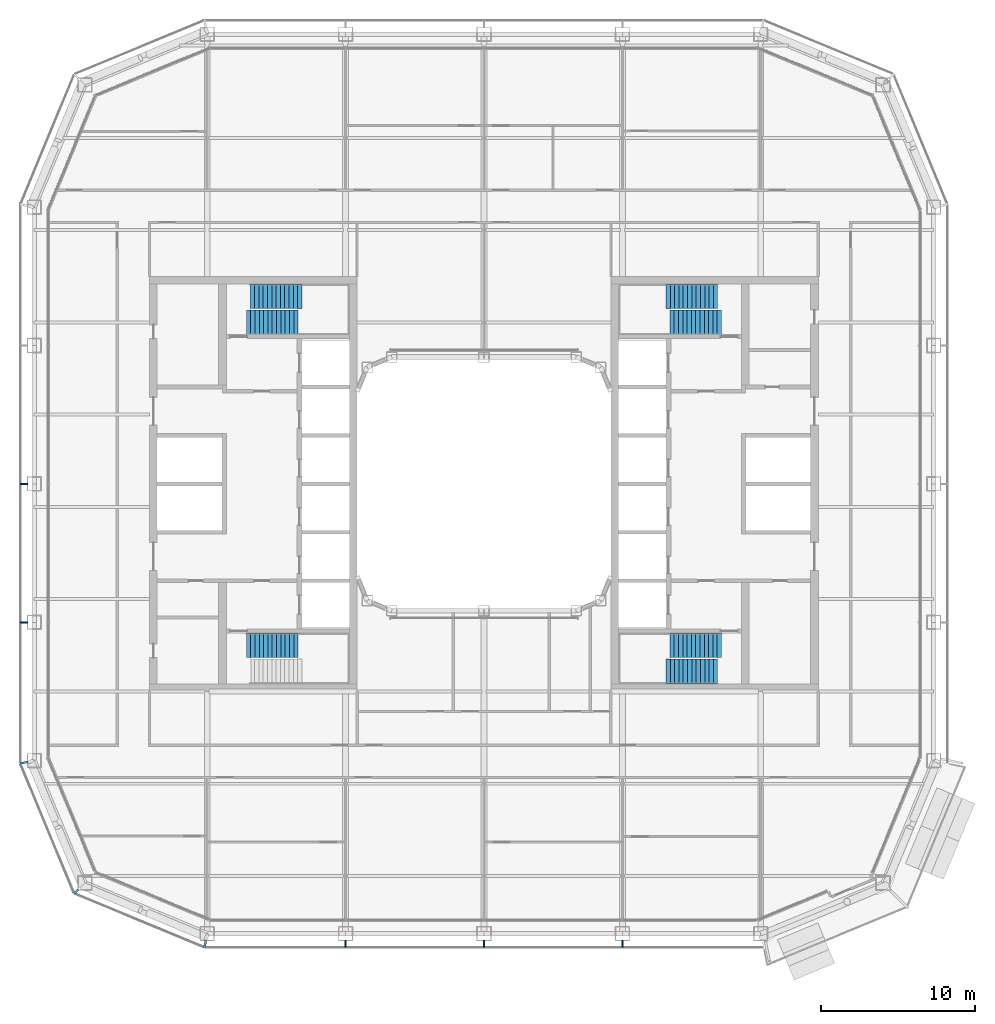
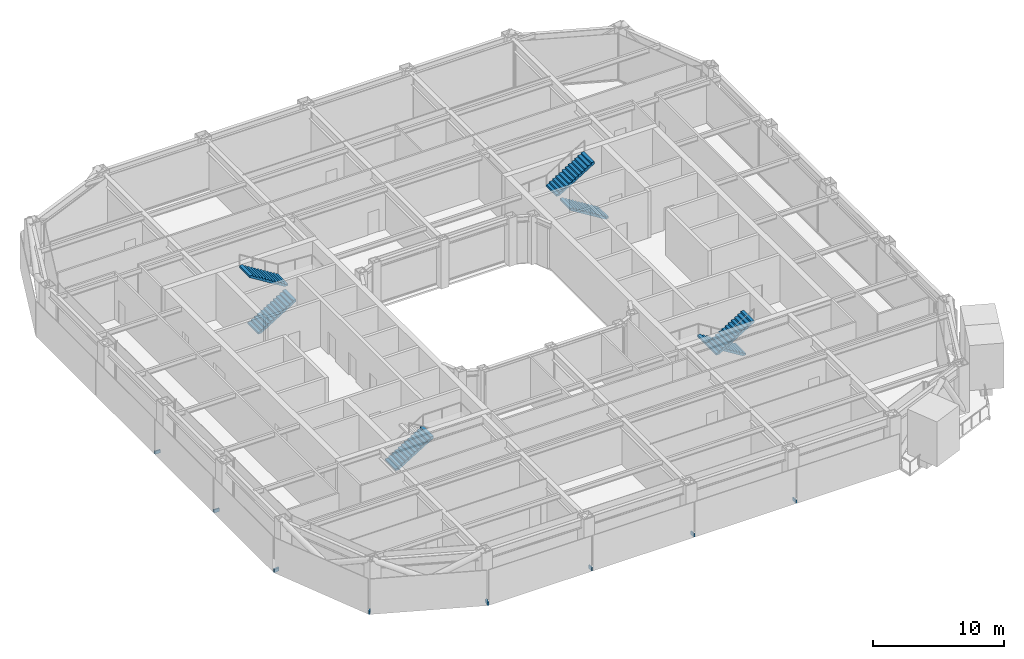
# One storey, part 15 of 23: 8 discrete accessories, 7 stair flights, 4 elements without a shape of their own.
"""IFC4 building model written with IfcOpenShell, lengths in metres."""

from ifc_helpers import new_model, si_unit, direction, frame, origin, origin_2d, place, context, subcontext, project, spatial, polyline, rectangle, outline, extrude, material, type_object, element, aggregate, save


model = new_model("IFC4")

# Units and contexts
model_context = context("Model", 3, precision=1e-05, world=origin(), true_north=direction((0.0, 1.0)))
body_context = subcontext(model_context, "Body", "Model", "MODEL_VIEW")
ifc_project = project(units=[si_unit("LENGTHUNIT", "METRE"), si_unit("AREAUNIT", "SQUARE_METRE"), si_unit("VOLUMEUNIT", "CUBIC_METRE"), si_unit("PLANEANGLEUNIT", "RADIAN"), si_unit("MASSUNIT", "GRAM", prefix="KILO")], contexts=[model_context])

# Site, building, storey
site_placement = place(None, origin())
site = spatial("IfcSite", under=ifc_project, at=site_placement, CompositionType="ELEMENT")
building_placement = place(site_placement, origin())
building = spatial("IfcBuilding", under=site, at=building_placement, Name="Siwar Civic Tower", CompositionType="ELEMENT")
storey_placement = place(building_placement, frame((0.0, 0.0, 109.199951171875)))
storey = spatial("IfcBuildingStorey", under=building, at=storey_placement, Name="L23", CompositionType="ELEMENT", Elevation=109.199951171875)

# Stair, stair flights
ifc_material_1 = material(Name="Concrete C40/50", Category="concrete")
stair_type = type_object("IfcStairType", Name="CORE-STAIR", PredefinedType="TWO_STRAIGHT_RUN_STAIR", material=ifc_material_1)
stair_1_placement = place(storey_placement, origin())
stair_1 = element("IfcStair", 1, at=stair_1_placement, inside=storey, type_object=stair_type, Name="Exit stair ST1", PredefinedType="TWO_STRAIGHT_RUN_STAIR")
ifc_material_2 = material(Name="Concrete C40/50", Category="concrete")
stair_flight_type = type_object("IfcStairFlightType", Name="CORE-STAIR-FLIGHT", PredefinedType="STRAIGHT", material=ifc_material_2)
stair_flight_1_placement = place(storey_placement, frame((-15.449951171875, 10.5, 0.0), z_axis=(0.0, 0.0, 1.0), x_axis=(1.0, 0.0, 0.0)))
stair_flight_1 = element("IfcStairFlight", 2, at=stair_flight_1_placement, type_object=stair_flight_type, Name="ST1 flight 1", NumberOfRisers=13, NumberOfTreads=12, PredefinedType="STRAIGHT", RiserHeight=0.173076923, TreadLength=0.28, context=body_context, shape_type="SweptSolid", body=[
    extrude(outline(polyline([(0.0, 0.0), (0.0, 0.173095703125), (0.280029296875, 0.173095703125), (0.280029296875, 0.34619140625), (0.56005859375, 0.34619140625), (0.56005859375, 0.519287109375), (0.840087890625, 0.519287109375), (0.840087890625, 0.6923828125), (1.1201171875, 0.6923828125), (1.1201171875, 0.865478515625), (1.39990234375, 0.865478515625), (1.39990234375, 1.03857421875), (1.679931640625, 1.03857421875), (1.679931640625, 1.21142578125), (1.9599609375, 1.21142578125), (1.9599609375, 1.384521484375), (2.239990234375, 1.384521484375), (2.239990234375, 1.5576171875), (2.52001953125, 1.5576171875), (2.52001953125, 1.730712890625), (2.800048828125, 1.730712890625), (2.800048828125, 1.90380859375), (3.080078125, 1.90380859375), (3.080078125, 2.076904296875), (3.360107421875, 2.076904296875), (3.360107421875, 2.25), (3.360107421875, 1.900634765625), (0.28515625, 0.0), (0.0, 0.0)])), frame((0.0, 0.800048828125, 0.0), z_axis=(0.0, -1.0, 0.0), x_axis=(1.0, 0.0, 0.0)), (0.0, 0.0, 1.0), 1.60009765625),
])
stair_flight_2_placement = place(storey_placement, frame((-11.840087890625, 12.199951171875, 2.25), z_axis=(0.0, 0.0, 1.0), x_axis=(-1.0, 0.0, 0.0)))
stair_flight_2 = element("IfcStairFlight", 3, at=stair_flight_2_placement, type_object=stair_flight_type, Name="ST1 flight 2", NumberOfRisers=13, NumberOfTreads=12, PredefinedType="STRAIGHT", RiserHeight=0.173076923, TreadLength=0.28, context=body_context, shape_type="SweptSolid", body=[
    extrude(outline(polyline([(0.0, 0.0), (0.0, 0.173095703125), (0.280029296875, 0.173095703125), (0.280029296875, 0.34619140625), (0.56005859375, 0.34619140625), (0.56005859375, 0.519287109375), (0.840087890625, 0.519287109375), (0.840087890625, 0.6923828125), (1.1201171875, 0.6923828125), (1.1201171875, 0.865478515625), (1.39990234375, 0.865478515625), (1.39990234375, 1.03857421875), (1.679931640625, 1.03857421875), (1.679931640625, 1.21142578125), (1.9599609375, 1.21142578125), (1.9599609375, 1.384521484375), (2.239990234375, 1.384521484375), (2.239990234375, 1.5576171875), (2.52001953125, 1.5576171875), (2.52001953125, 1.730712890625), (2.800048828125, 1.730712890625), (2.800048828125, 1.90380859375), (3.080078125, 1.90380859375), (3.080078125, 2.076904296875), (3.360107421875, 2.076904296875), (3.360107421875, 2.25), (3.360107421875, 1.900634765625), (0.28515625, 0.0), (0.0, 0.0)])), frame((0.0, 0.800048828125, 0.0), z_axis=(0.0, -1.0, 0.0), x_axis=(1.0, 0.0, 0.0)), (0.0, 0.0, 1.0), 1.60009765625),
])
aggregate(stair_1, [stair_flight_1, stair_flight_2])

# Stair, stair flight
stair_2_placement = place(storey_placement, origin())
stair_2 = element("IfcStair", 4, at=stair_2_placement, inside=storey, type_object=stair_type, Name="Exit stair ST2", PredefinedType="TWO_STRAIGHT_RUN_STAIR")
stair_flight_3_placement = place(storey_placement, frame((-15.449951171875, -10.5, 0.0), z_axis=(0.0, 0.0, 1.0), x_axis=(1.0, 0.0, 0.0)))
stair_flight_3 = element("IfcStairFlight", 5, at=stair_flight_3_placement, type_object=stair_flight_type, Name="ST2 flight 1", NumberOfRisers=13, NumberOfTreads=12, PredefinedType="STRAIGHT", RiserHeight=0.173076923, TreadLength=0.28, context=body_context, shape_type="SweptSolid", body=[
    extrude(outline(polyline([(0.0, 0.0), (0.0, 0.173095703125), (0.280029296875, 0.173095703125), (0.280029296875, 0.34619140625), (0.56005859375, 0.34619140625), (0.56005859375, 0.519287109375), (0.840087890625, 0.519287109375), (0.840087890625, 0.6923828125), (1.1201171875, 0.6923828125), (1.1201171875, 0.865478515625), (1.39990234375, 0.865478515625), (1.39990234375, 1.03857421875), (1.679931640625, 1.03857421875), (1.679931640625, 1.21142578125), (1.9599609375, 1.21142578125), (1.9599609375, 1.384521484375), (2.239990234375, 1.384521484375), (2.239990234375, 1.5576171875), (2.52001953125, 1.5576171875), (2.52001953125, 1.730712890625), (2.800048828125, 1.730712890625), (2.800048828125, 1.90380859375), (3.080078125, 1.90380859375), (3.080078125, 2.076904296875), (3.360107421875, 2.076904296875), (3.360107421875, 2.25), (3.360107421875, 1.900634765625), (0.28515625, 0.0), (0.0, 0.0)])), frame((0.0, 0.800048828125, 0.0), z_axis=(0.0, -1.0, 0.0), x_axis=(1.0, 0.0, 0.0)), (0.0, 0.0, 1.0), 1.60009765625),
])
aggregate(stair_2, [stair_flight_3])

# Stair, stair flights
stair_3_placement = place(storey_placement, origin())
stair_3 = element("IfcStair", 6, at=stair_3_placement, inside=storey, type_object=stair_type, Name="Exit stair ST3", PredefinedType="TWO_STRAIGHT_RUN_STAIR")
stair_flight_4_placement = place(storey_placement, frame((15.449951171875, 10.5, 0.0), z_axis=(0.0, 0.0, 1.0), x_axis=(-1.0, 0.0, 0.0)))
stair_flight_4 = element("IfcStairFlight", 7, at=stair_flight_4_placement, type_object=stair_flight_type, Name="ST3 flight 1", NumberOfRisers=13, NumberOfTreads=12, PredefinedType="STRAIGHT", RiserHeight=0.173076923, TreadLength=0.28, context=body_context, shape_type="SweptSolid", body=[
    extrude(outline(polyline([(0.0, 0.0), (0.0, 0.173095703125), (0.280029296875, 0.173095703125), (0.280029296875, 0.34619140625), (0.56005859375, 0.34619140625), (0.56005859375, 0.519287109375), (0.840087890625, 0.519287109375), (0.840087890625, 0.6923828125), (1.1201171875, 0.6923828125), (1.1201171875, 0.865478515625), (1.39990234375, 0.865478515625), (1.39990234375, 1.03857421875), (1.679931640625, 1.03857421875), (1.679931640625, 1.21142578125), (1.9599609375, 1.21142578125), (1.9599609375, 1.384521484375), (2.239990234375, 1.384521484375), (2.239990234375, 1.5576171875), (2.52001953125, 1.5576171875), (2.52001953125, 1.730712890625), (2.800048828125, 1.730712890625), (2.800048828125, 1.90380859375), (3.080078125, 1.90380859375), (3.080078125, 2.076904296875), (3.360107421875, 2.076904296875), (3.360107421875, 2.25), (3.360107421875, 1.900634765625), (0.28515625, 0.0), (0.0, 0.0)])), frame((0.0, 0.800048828125, 0.0), z_axis=(0.0, -1.0, 0.0), x_axis=(1.0, 0.0, 0.0)), (0.0, 0.0, 1.0), 1.60009765625),
])
stair_flight_5_placement = place(storey_placement, frame((11.840087890625, 12.199951171875, 2.25), z_axis=(0.0, 0.0, 1.0), x_axis=(1.0, 0.0, 0.0)))
stair_flight_5 = element("IfcStairFlight", 8, at=stair_flight_5_placement, type_object=stair_flight_type, Name="ST3 flight 2", NumberOfRisers=13, NumberOfTreads=12, PredefinedType="STRAIGHT", RiserHeight=0.173076923, TreadLength=0.28, context=body_context, shape_type="SweptSolid", body=[
    extrude(outline(polyline([(0.0, 0.0), (0.0, 0.173095703125), (0.280029296875, 0.173095703125), (0.280029296875, 0.34619140625), (0.56005859375, 0.34619140625), (0.56005859375, 0.519287109375), (0.840087890625, 0.519287109375), (0.840087890625, 0.6923828125), (1.1201171875, 0.6923828125), (1.1201171875, 0.865478515625), (1.39990234375, 0.865478515625), (1.39990234375, 1.03857421875), (1.679931640625, 1.03857421875), (1.679931640625, 1.21142578125), (1.9599609375, 1.21142578125), (1.9599609375, 1.384521484375), (2.239990234375, 1.384521484375), (2.239990234375, 1.5576171875), (2.52001953125, 1.5576171875), (2.52001953125, 1.730712890625), (2.800048828125, 1.730712890625), (2.800048828125, 1.90380859375), (3.080078125, 1.90380859375), (3.080078125, 2.076904296875), (3.360107421875, 2.076904296875), (3.360107421875, 2.25), (3.360107421875, 1.900634765625), (0.28515625, 0.0), (0.0, 0.0)])), frame((0.0, 0.800048828125, 0.0), z_axis=(0.0, -1.0, 0.0), x_axis=(1.0, 0.0, 0.0)), (0.0, 0.0, 1.0), 1.60009765625),
])
aggregate(stair_3, [stair_flight_4, stair_flight_5])

stair_4_placement = place(storey_placement, origin())
stair_4 = element("IfcStair", 9, at=stair_4_placement, inside=storey, type_object=stair_type, Name="Exit stair ST4", PredefinedType="TWO_STRAIGHT_RUN_STAIR")
stair_flight_6_placement = place(storey_placement, frame((15.449951171875, -10.5, 0.0), z_axis=(0.0, 0.0, 1.0), x_axis=(-1.0, 0.0, 0.0)))
stair_flight_6 = element("IfcStairFlight", 10, at=stair_flight_6_placement, type_object=stair_flight_type, Name="ST4 flight 1", NumberOfRisers=13, NumberOfTreads=12, PredefinedType="STRAIGHT", RiserHeight=0.173076923, TreadLength=0.28, context=body_context, shape_type="SweptSolid", body=[
    extrude(outline(polyline([(0.0, 0.0), (0.0, 0.173095703125), (0.280029296875, 0.173095703125), (0.280029296875, 0.34619140625), (0.56005859375, 0.34619140625), (0.56005859375, 0.519287109375), (0.840087890625, 0.519287109375), (0.840087890625, 0.6923828125), (1.1201171875, 0.6923828125), (1.1201171875, 0.865478515625), (1.39990234375, 0.865478515625), (1.39990234375, 1.03857421875), (1.679931640625, 1.03857421875), (1.679931640625, 1.21142578125), (1.9599609375, 1.21142578125), (1.9599609375, 1.384521484375), (2.239990234375, 1.384521484375), (2.239990234375, 1.5576171875), (2.52001953125, 1.5576171875), (2.52001953125, 1.730712890625), (2.800048828125, 1.730712890625), (2.800048828125, 1.90380859375), (3.080078125, 1.90380859375), (3.080078125, 2.076904296875), (3.360107421875, 2.076904296875), (3.360107421875, 2.25), (3.360107421875, 1.900634765625), (0.28515625, 0.0), (0.0, 0.0)])), frame((0.0, 0.800048828125, 0.0), z_axis=(0.0, -1.0, 0.0), x_axis=(1.0, 0.0, 0.0)), (0.0, 0.0, 1.0), 1.60009765625),
])
stair_flight_7_placement = place(storey_placement, frame((11.840087890625, -12.199951171875, 2.25), z_axis=(0.0, 0.0, 1.0), x_axis=(1.0, 0.0, 0.0)))
stair_flight_7 = element("IfcStairFlight", 11, at=stair_flight_7_placement, type_object=stair_flight_type, Name="ST4 flight 2", NumberOfRisers=13, NumberOfTreads=12, PredefinedType="STRAIGHT", RiserHeight=0.173076923, TreadLength=0.28, context=body_context, shape_type="SweptSolid", body=[
    extrude(outline(polyline([(0.0, 0.0), (0.0, 0.173095703125), (0.280029296875, 0.173095703125), (0.280029296875, 0.34619140625), (0.56005859375, 0.34619140625), (0.56005859375, 0.519287109375), (0.840087890625, 0.519287109375), (0.840087890625, 0.6923828125), (1.1201171875, 0.6923828125), (1.1201171875, 0.865478515625), (1.39990234375, 0.865478515625), (1.39990234375, 1.03857421875), (1.679931640625, 1.03857421875), (1.679931640625, 1.21142578125), (1.9599609375, 1.21142578125), (1.9599609375, 1.384521484375), (2.239990234375, 1.384521484375), (2.239990234375, 1.5576171875), (2.52001953125, 1.5576171875), (2.52001953125, 1.730712890625), (2.800048828125, 1.730712890625), (2.800048828125, 1.90380859375), (3.080078125, 1.90380859375), (3.080078125, 2.076904296875), (3.360107421875, 2.076904296875), (3.360107421875, 2.25), (3.360107421875, 1.900634765625), (0.28515625, 0.0), (0.0, 0.0)])), frame((0.0, 0.800048828125, 0.0), z_axis=(0.0, -1.0, 0.0), x_axis=(1.0, 0.0, 0.0)), (0.0, 0.0, 1.0), 1.60009765625),
])
aggregate(stair_4, [stair_flight_6, stair_flight_7])

# Discrete accessories
ifc_material_3 = material(Name="Stainless steel 316", Category="steel")
discrete_accessory_type = type_object("IfcDiscreteAccessoryType", Name="ENV-BRACKET", PredefinedType="BRACKET", material=ifc_material_3)
for number, where, z_axis, x_axis, name in (
    (12, (-9.0, -29.9150390625, -0.14990234375), (0.0, 0.0, 1.0), (0.0, -1.0, 0.0), "Bracket outer skin joint S-01"),
    (13, (0.0, -29.9150390625, -0.14990234375), (0.0, 0.0, 1.0), (0.0, -1.0, 0.0), "Bracket outer skin joint S-02"),
    (14, (9.0, -29.9150390625, -0.14990234375), (0.0, 0.0, 1.0), (0.0, -1.0, 0.0), "Bracket outer skin joint S-03"),
):
    element("IfcDiscreteAccessory", number, at=place(storey_placement, frame(where, z_axis=z_axis, x_axis=x_axis)), inside=storey, type_object=discrete_accessory_type, Name=name, PredefinedType="BRACKET", context=body_context, shape_type="SweptSolid", body=[
        extrude(rectangle(XDim=0.469970703125, YDim=0.10009765625, at=origin_2d()), origin(), (0.0, 0.0, 1.0), 0.300048828125),
    ])
for number, where, z_axis, x_axis, name in (
    (15, (-18.13232421875, -29.915283203125, -0.14990234375), (0.0, 0.0, 1.0), (-0.195090322016, -0.980785280403, 0.0), "Bracket outer skin joint V00"),
    (16, (-29.915283203125, -18.13232421875, -0.14990234375), (0.0, 0.0, 1.0), (-0.980785280403, -0.195090322016, 0.0), "Bracket outer skin joint V10"),
):
    element("IfcDiscreteAccessory", number, at=place(storey_placement, frame(where, z_axis=z_axis, x_axis=x_axis)), inside=storey, type_object=discrete_accessory_type, Name=name, PredefinedType="BRACKET", context=body_context, shape_type="SweptSolid", body=[
        extrude(rectangle(XDim=0.478759765625, YDim=0.13720703125, at=origin_2d()), origin(), (0.0, 0.0, 1.0), 0.300048828125),
    ])
discrete_accessory_placement = place(storey_placement, frame((-26.517333984375, -26.517333984375, -0.14990234375), z_axis=(0.0, 0.0, 1.0), x_axis=(-0.707106781187, -0.707106781187, 0.0)))
element("IfcDiscreteAccessory", 17, at=discrete_accessory_placement, inside=storey, type_object=discrete_accessory_type, Name="Bracket outer skin joint V11", PredefinedType="BRACKET", context=body_context, shape_type="SweptSolid", body=[
    extrude(rectangle(XDim=0.357666015625, YDim=0.12939453125, at=origin_2d()), origin(), (0.0, 0.0, 1.0), 0.300048828125),
])
for number, where, z_axis, x_axis, name in (
    (18, (-29.9150390625, 0.0, -0.14990234375), (0.0, 0.0, 1.0), (-1.0, 0.0, 0.0), "Bracket outer skin joint W-02"),
    (19, (-29.9150390625, -9.0, -0.14990234375), (0.0, 0.0, 1.0), (-1.0, 0.0, 0.0), "Bracket outer skin joint W-03"),
):
    element("IfcDiscreteAccessory", number, at=place(storey_placement, frame(where, z_axis=z_axis, x_axis=x_axis)), inside=storey, type_object=discrete_accessory_type, Name=name, PredefinedType="BRACKET", context=body_context, shape_type="SweptSolid", body=[
        extrude(rectangle(XDim=0.469970703125, YDim=0.10009765625, at=origin_2d()), origin(), (0.0, 0.0, 1.0), 0.300048828125),
    ])

save(model, "model.ifc")
